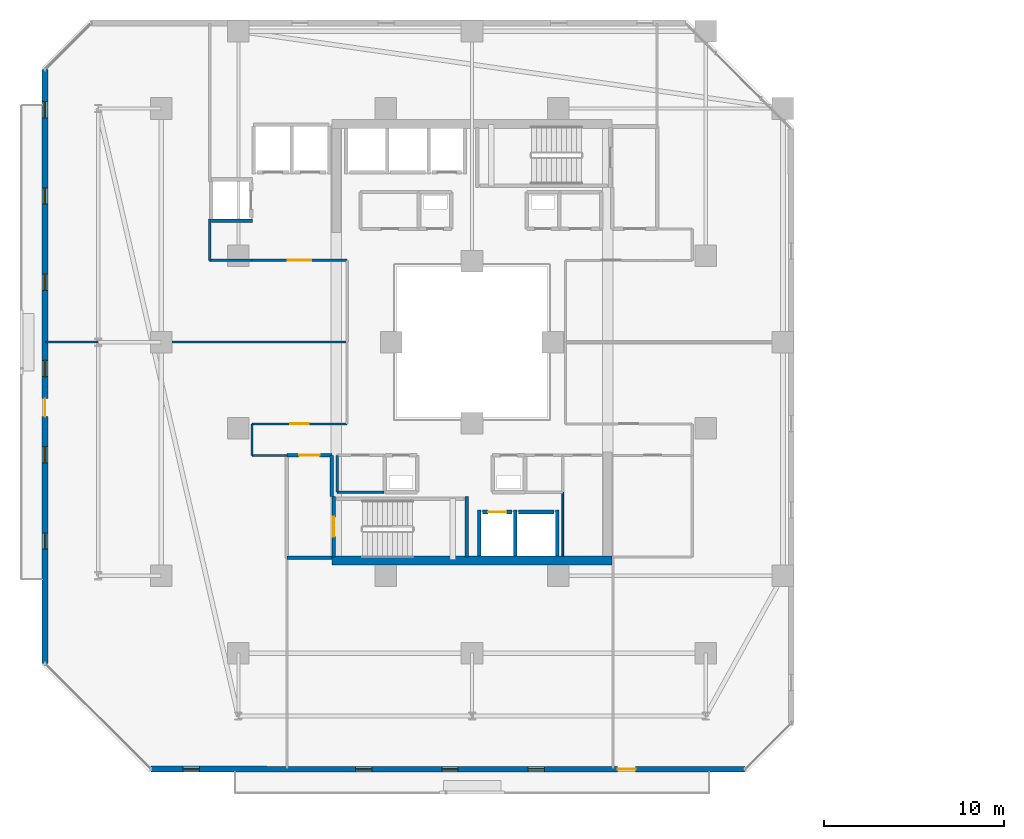
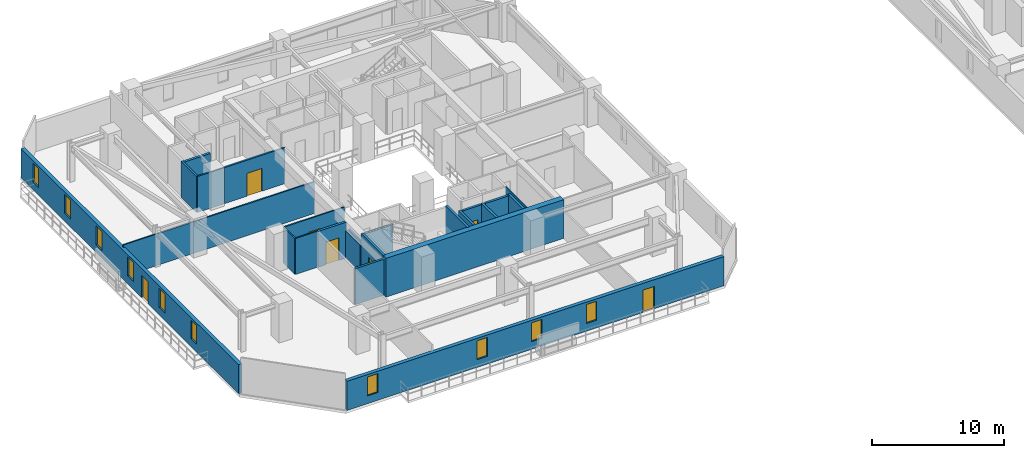
# One storey, part 18 of 32: 24 walls, 10 windows, 7 doors, 17 openings.
"""IFC4 building model written with IfcOpenShell, lengths in metres."""

from ifc_helpers import new_model, si_unit, direction, frame, frame_2d, origin, place, context, subcontext, project, spatial, rectangle, extrude, material, layer, layer_set, type_object, element, fill, save


model = new_model("IFC4")

# Units and contexts
model_context = context("Model", 3, precision=1e-05, world=origin(), true_north=direction((0.0, 1.0)))
body_context = subcontext(model_context, "Body", "Model", "MODEL_VIEW")
ifc_project = project(units=[si_unit("LENGTHUNIT", "METRE"), si_unit("AREAUNIT", "SQUARE_METRE"), si_unit("VOLUMEUNIT", "CUBIC_METRE"), si_unit("PLANEANGLEUNIT", "RADIAN"), si_unit("MASSUNIT", "GRAM", prefix="KILO")], contexts=[model_context])

# Site, building, storey
site_placement = place(None, origin())
site = spatial("IfcSite", under=ifc_project, at=site_placement, CompositionType="ELEMENT")
building_placement = place(site_placement, origin())
building = spatial("IfcBuilding", under=site, at=building_placement, Name="Thornwick Lancets Civic Towers", CompositionType="ELEMENT")
storey_placement = place(building_placement, frame((0.0, 0.0, 123.300048828125)))
storey = spatial("IfcBuildingStorey", under=building, at=storey_placement, Name="L32", CompositionType="ELEMENT", Elevation=123.300048828125)

# Wall, opening, door
ifc_material_1 = material(Name="Concrete blockwork C40/50", Category="masonry")
ifc_layer_1 = layer(ifc_material_1, 0.199951171875, Name="Concrete blockwork C40/50")
ifc_layer_set_1 = layer_set([ifc_layer_1], Name="Concrete blockwork C40/50")
wall_type_1 = type_object("IfcWallType", Name="WALL_COMP_200", PredefinedType="STANDARD", material=ifc_layer_set_1)
wall_1_placement = place(storey_placement, frame((26.080078125, 17.550048828125, 0.0), z_axis=(0.0, 0.0, 1.0), x_axis=(1.0, 0.0, 0.0)))
wall_1 = element("IfcWall", 1, at=wall_1_placement, inside=storey, type_object=wall_type_1, Name="L32 Hoistway Front Wall FL-A1", PredefinedType="STANDARD", context=body_context, shape_type="SweptSolid", body=[
    extrude(rectangle(XDim=1.639892578125, YDim=0.199951171875, at=frame_2d((0.81982421875, 0.0))), origin(), (0.0, 0.0, 1.0), 3.33984375),
])
opening_1_placement = place(wall_1_placement, frame((0.31005859375, 0.0, 0.0)))
opening_1 = element("IfcOpeningElement", 2, at=opening_1_placement, cuts=wall_1, Name="Opening LD-FL-A1", PredefinedType="OPENING", context=body_context, shape_type="SweptSolid", body=[
    extrude(rectangle(XDim=1.02001953125, YDim=2.06005859375, at=frame_2d((0.510009765625, 1.030029296875))), frame((0.0, 0.10986328125, 0.0), z_axis=(0.0, -1.0, 0.0), x_axis=(1.0, 0.0, 0.0)), (0.0, 0.0, 1.0), 0.219970703125),
])
ifc_material_2 = material(Name="Brushed bronze stainless steel", Category="steel")
door_type_1 = type_object("IfcDoorType", Name="DOOR_LIFT_SLIDE", OperationType="SLIDING_TO_LEFT", PredefinedType="DOOR", material=ifc_material_2)
door_1_placement = place(opening_1_placement, origin())
door_1 = element("IfcDoor", 3, at=door_1_placement, inside=storey, type_object=door_type_1, Name="L32 Sliding Lift Landing Door LD-FL-A1", OperationType="SLIDING_TO_LEFT", OverallHeight=2.06005859375, OverallWidth=1.02001953125, PredefinedType="DOOR", context=body_context, shape_type="SweptSolid", body=[
    extrude(rectangle(XDim=1.02001953125, YDim=2.06005859375, at=frame_2d((0.510009765625, 1.030029296875))), frame((0.0, 0.02490234375, 0.0), z_axis=(0.0, -1.0, 0.0), x_axis=(1.0, 0.0, 0.0)), (0.0, 0.0, 1.0), 0.050048828125),
])
fill(opening_1, door_1)

# Walls
wall_2_placement = place(storey_placement, frame((28.080078125, 17.550048828125, 0.0), z_axis=(0.0, 0.0, 1.0), x_axis=(1.0, 0.0, 0.0)))
element("IfcWall", 4, at=wall_2_placement, inside=storey, type_object=wall_type_1, Name="L32 Hoistway Front Wall PL-AH1", PredefinedType="STANDARD", context=body_context, shape_type="SweptSolid", body=[
    extrude(rectangle(XDim=1.989990234375, YDim=0.199951171875, at=frame_2d((0.9951171875, 0.0))), origin(), (0.0, 0.0, 1.0), 3.33984375),
])
for number, where, z_axis, x_axis, name in (
    (5, (27.89990234375, 15.112060546875, 0.0), (0.0, 0.0, 1.0), (0.0, 1.0, 0.0), "L32 Hoistway Shaft Wall FL-A1 E"),
    (6, (25.89990234375, 15.112060546875, 0.0), (0.0, 0.0, 1.0), (0.0, 1.0, 0.0), "L32 Hoistway Shaft Wall FL-A1 W"),
    (7, (30.25, 15.112060546875, 0.0), (0.0, 0.0, 1.0), (0.0, 1.0, 0.0), "L32 Hoistway Shaft Wall PL-AH1 E"),
):
    element("IfcWall", number, at=place(storey_placement, frame(where, z_axis=z_axis, x_axis=x_axis)), inside=storey, type_object=wall_type_1, Name=name, PredefinedType="STANDARD", context=body_context, shape_type="SweptSolid", body=[
        extrude(rectangle(XDim=2.535888671875, YDim=0.199951171875, at=frame_2d((1.26806640625, 0.0))), origin(), (0.0, 0.0, 1.0), 3.33984375),
    ])
wall_3_placement = place(storey_placement, frame((11.001953125, 33.75, 0.0), z_axis=(0.0, 0.0, 1.0), x_axis=(1.0, 0.0, 0.0)))
element("IfcWall", 8, at=wall_3_placement, inside=storey, type_object=wall_type_1, Name="L32 Hoistway Shaft Wall PL-AM3 S", PredefinedType="STANDARD", context=body_context, shape_type="SweptSolid", body=[
    extrude(rectangle(XDim=2.296142578125, YDim=0.199951171875, at=frame_2d((1.14794921875, 0.0))), origin(), (0.0, 0.0, 1.0), 3.33984375),
])
wall_4_placement = place(storey_placement, frame((15.199951171875, 15.0, 0.0), z_axis=(0.0, 0.0, 1.0), x_axis=(1.0, 0.0, 0.0)))
element("IfcWall", 9, at=wall_4_placement, inside=storey, type_object=wall_type_1, Name="L32 Partition L32-A-FFLOB1 E1", PredefinedType="STANDARD", context=body_context, shape_type="SweptSolid", body=[
    extrude(rectangle(XDim=2.5, YDim=0.199951171875, at=frame_2d((1.25, 0.0))), origin(), (0.0, 0.0, 1.0), 3.33984375),
])
wall_5_placement = place(storey_placement, frame((17.699951171875, 18.39990234375, 0.0), z_axis=(0.0, 0.0, 1.0), x_axis=(0.0, 1.0, 0.0)))
element("IfcWall", 10, at=wall_5_placement, inside=storey, type_object=wall_type_1, Name="L32 Partition L32-A-FFLOB1 E2", PredefinedType="STANDARD", context=body_context, shape_type="SweptSolid", body=[
    extrude(rectangle(XDim=2.300048828125, YDim=0.199951171875, at=frame_2d((1.14990234375, 0.0))), origin(), (0.0, 0.0, 1.0), 2.544921875),
])

# Wall, opening, door
wall_6_placement = place(storey_placement, frame((17.699951171875, 20.699951171875, 0.0), z_axis=(0.0, 0.0, 1.0), x_axis=(-1.0, 0.0, 0.0)))
wall_6 = element("IfcWall", 11, at=wall_6_placement, inside=storey, type_object=wall_type_1, Name="L32 Partition L32-A-FFLOB1 E3", PredefinedType="STANDARD", context=body_context, shape_type="SweptSolid", body=[
    extrude(rectangle(XDim=2.5, YDim=0.199951171875, at=frame_2d((1.25, 0.0))), origin(), (0.0, 0.0, 1.0), 3.33984375),
])
opening_2_placement = place(wall_6_placement, frame((0.675048828125, 0.0, 0.0)))
opening_2 = element("IfcOpeningElement", 12, at=opening_2_placement, cuts=wall_6, Name="Opening D-L32-1457", PredefinedType="OPENING", context=body_context, shape_type="SweptSolid", body=[
    extrude(rectangle(XDim=1.14990234375, YDim=2.10009765625, at=frame_2d((0.574951171875, 1.050048828125))), frame((0.0, 0.10986328125, 0.0), z_axis=(0.0, -1.0, 0.0), x_axis=(1.0, 0.0, 0.0)), (0.0, 0.0, 1.0), 0.219970703125),
])
ifc_material_3 = material(Name="Glazed fire-resisting steel", Category="steel")
door_type_2 = type_object("IfcDoorType", Name="DOOR_LOBBY_FD60", OperationType="NOTDEFINED", PredefinedType="DOOR", material=ifc_material_3)
door_2_placement = place(opening_2_placement, origin())
door_2 = element("IfcDoor", 13, at=door_2_placement, inside=storey, type_object=door_type_2, Name="L32 South Firefighting Lobby 1 Door", OperationType="SINGLE_SWING_RIGHT", OverallHeight=2.10009765625, OverallWidth=1.14990234375, PredefinedType="DOOR", context=body_context, shape_type="SweptSolid", body=[
    extrude(rectangle(XDim=1.14990234375, YDim=2.10009765625, at=frame_2d((0.574951171875, 1.050048828125))), frame((0.0, 0.02490234375, 0.0), z_axis=(0.0, -1.0, 0.0), x_axis=(1.0, 0.0, 0.0)), (0.0, 0.0, 1.0), 0.050048828125),
])
fill(opening_2, door_2)

# Wall
ifc_material_4 = material(Name="Concrete C50/60", Category="concrete")
ifc_layer_2 = layer(ifc_material_4, 0.5, Name="Concrete C50/60")
ifc_layer_set_2 = layer_set([ifc_layer_2], Name="Concrete C50/60")
wall_type_2 = type_object("IfcWallType", Name="WALL_CORE_500", PredefinedType="SHEAR", material=ifc_layer_set_2)
wall_7_placement = place(storey_placement, frame((17.699951171875, 14.85009765625, 0.0), z_axis=(0.0, 0.0, 1.0), x_axis=(1.0, 0.0, 0.0)))
element("IfcWall", 14, at=wall_7_placement, inside=storey, type_object=wall_type_2, Name="L32 Split Core A1 Shear Wall S", PredefinedType="SHEAR", context=body_context, shape_type="SweptSolid", body=[
    extrude(rectangle(XDim=15.60009765625, YDim=0.5, at=frame_2d((7.800048828125, 0.0))), origin(), (0.0, 0.0, 1.0), 3.599853515625),
])

# Wall, openings, door, windows
ifc_material_5 = material(Name="Insulated buff terracotta rainscreen on concrete C40/50", Category="masonry")
ifc_layer_3 = layer(ifc_material_5, 0.320068359375, Name="Insulated buff terracotta rainscreen on concrete C40/50")
ifc_layer_set_3 = layer_set([ifc_layer_3], Name="Insulated buff terracotta rainscreen on concrete C40/50")
wall_type_3 = type_object("IfcWallType", Name="WALL_EXT_TERRA_320", PredefinedType="STANDARD", material=ifc_layer_set_3)
wall_8_placement = place(storey_placement, frame((7.627685546875, 3.246337890625, 0.0), z_axis=(0.0, 0.0, 1.0), x_axis=(0.999999944762, -0.000332378036, 0.0)))
wall_8 = element("IfcWall", 15, at=wall_8_placement, inside=storey, type_object=wall_type_3, Name="L32 Tower A Terracotta Facade Wall E0", PredefinedType="STANDARD", context=body_context, shape_type="SweptSolid", body=[
    extrude(rectangle(XDim=33.0537109375, YDim=0.320068359375, at=frame_2d((16.52685546875, 0.0))), origin(), (0.0, 0.0, 1.0), 2.699951171875),
])
opening_3_placement = place(wall_8_placement, frame((25.976806640625, 0.0, 0.0)))
opening_3 = element("IfcOpeningElement", 16, at=opening_3_placement, cuts=wall_8, Name="Opening D-BL-L32-AS", PredefinedType="OPENING", context=body_context, shape_type="SweptSolid", body=[
    extrude(rectangle(XDim=1.0, YDim=2.080078125, at=frame_2d((0.5, 1.0400390625))), frame((0.0, 0.169921875, 0.0), z_axis=(0.0, -1.0, 0.0), x_axis=(1.0, 0.0, 0.0)), (0.0, 0.0, 1.0), 0.340087890625),
])
opening_4_placement = place(wall_8_placement, frame((1.800048828125, 0.0, 0.719970703125)))
opening_4 = element("IfcOpeningElement", 17, at=opening_4_placement, cuts=wall_8, Name="Opening WL-01", PredefinedType="OPENING", context=body_context, shape_type="SweptSolid", body=[
    extrude(rectangle(XDim=0.89990234375, YDim=1.75, at=frame_2d((0.449951171875, 0.875))), frame((0.0, 0.169921875, 0.0), z_axis=(0.0, -1.0, 0.0), x_axis=(1.0, 0.0, 0.0)), (0.0, 0.0, 1.0), 0.340087890625),
])
opening_5_placement = place(wall_8_placement, frame((11.39990234375, 0.0, 0.719970703125)))
opening_5 = element("IfcOpeningElement", 18, at=opening_5_placement, cuts=wall_8, Name="Opening WL-01", PredefinedType="OPENING", context=body_context, shape_type="SweptSolid", body=[
    extrude(rectangle(XDim=0.89990234375, YDim=1.75, at=frame_2d((0.449951171875, 0.875))), frame((0.0, 0.169921875, 0.0), z_axis=(0.0, -1.0, 0.0), x_axis=(1.0, 0.0, 0.0)), (0.0, 0.0, 1.0), 0.340087890625),
])
opening_6_placement = place(wall_8_placement, frame((16.199951171875, 0.0, 0.719970703125)))
opening_6 = element("IfcOpeningElement", 19, at=opening_6_placement, cuts=wall_8, Name="Opening WL-01", PredefinedType="OPENING", context=body_context, shape_type="SweptSolid", body=[
    extrude(rectangle(XDim=0.89990234375, YDim=1.75, at=frame_2d((0.449951171875, 0.875))), frame((0.0, 0.169921875, 0.0), z_axis=(0.0, -1.0, 0.0), x_axis=(1.0, 0.0, 0.0)), (0.0, 0.0, 1.0), 0.340087890625),
])
opening_7_placement = place(wall_8_placement, frame((21.0, 0.0, 0.719970703125)))
opening_7 = element("IfcOpeningElement", 20, at=opening_7_placement, cuts=wall_8, Name="Opening WL-01", PredefinedType="OPENING", context=body_context, shape_type="SweptSolid", body=[
    extrude(rectangle(XDim=0.89990234375, YDim=1.75, at=frame_2d((0.449951171875, 0.875))), frame((0.0, 0.169921875, 0.0), z_axis=(0.0, -1.0, 0.0), x_axis=(1.0, 0.0, 0.0)), (0.0, 0.0, 1.0), 0.340087890625),
])
ifc_material_6 = material(Name="Thermally broken glazed loggia doorset")
door_type_3 = type_object("IfcDoorType", Name="DOOR_BALC_1000", OperationType="NOTDEFINED", PredefinedType="DOOR", material=ifc_material_6)
door_3_placement = place(opening_3_placement, origin())
door_3 = element("IfcDoor", 21, at=door_3_placement, inside=storey, type_object=door_type_3, Name="L32 Tower A Loggia Balcony Door S", OperationType="SINGLE_SWING_LEFT", OverallHeight=2.080078125, OverallWidth=1.0, PredefinedType="DOOR", context=body_context, shape_type="SweptSolid", body=[
    extrude(rectangle(XDim=1.0, YDim=2.080078125, at=frame_2d((0.5, 1.0400390625))), frame((0.0, 0.02490234375, 0.0), z_axis=(0.0, -1.0, 0.0), x_axis=(1.0, 0.0, 0.0)), (0.0, 0.0, 1.0), 0.050048828125),
])
fill(opening_3, door_3)
ifc_material_7 = material(Name="Clear low-e double glazing in bronze frame", Category="glass")
window_type = type_object("IfcWindowType", Name="WIN_LANCET_900", PartitioningType="SINGLE_PANEL", PredefinedType="WINDOW", material=ifc_material_7)
window_1_placement = place(opening_4_placement, origin())
window_1 = element("IfcWindow", 22, at=window_1_placement, inside=storey, type_object=window_type, Name="L32 Tower A Staggered Lancet Window E0-1", OverallHeight=1.75, OverallWidth=0.89990234375, PartitioningType="SINGLE_PANEL", PredefinedType="WINDOW", context=body_context, shape_type="SweptSolid", body=[
    extrude(rectangle(XDim=0.89990234375, YDim=1.75, at=frame_2d((0.449951171875, 0.875))), frame((0.0, 0.030029296875, 0.0), z_axis=(0.0, -1.0, 0.0), x_axis=(1.0, 0.0, 0.0)), (0.0, 0.0, 1.0), 0.06005859375),
])
fill(opening_4, window_1)
window_2_placement = place(opening_5_placement, origin())
window_2 = element("IfcWindow", 23, at=window_2_placement, inside=storey, type_object=window_type, Name="L32 Tower A Staggered Lancet Window E0-2", OverallHeight=1.75, OverallWidth=0.89990234375, PartitioningType="SINGLE_PANEL", PredefinedType="WINDOW", context=body_context, shape_type="SweptSolid", body=[
    extrude(rectangle(XDim=0.89990234375, YDim=1.75, at=frame_2d((0.449951171875, 0.875))), frame((0.0, 0.030029296875, 0.0), z_axis=(0.0, -1.0, 0.0), x_axis=(1.0, 0.0, 0.0)), (0.0, 0.0, 1.0), 0.06005859375),
])
fill(opening_5, window_2)
window_3_placement = place(opening_6_placement, origin())
window_3 = element("IfcWindow", 24, at=window_3_placement, inside=storey, type_object=window_type, Name="L32 Tower A Staggered Lancet Window E0-3", OverallHeight=1.75, OverallWidth=0.89990234375, PartitioningType="SINGLE_PANEL", PredefinedType="WINDOW", context=body_context, shape_type="SweptSolid", body=[
    extrude(rectangle(XDim=0.89990234375, YDim=1.75, at=frame_2d((0.449951171875, 0.875))), frame((0.0, 0.030029296875, 0.0), z_axis=(0.0, -1.0, 0.0), x_axis=(1.0, 0.0, 0.0)), (0.0, 0.0, 1.0), 0.06005859375),
])
fill(opening_6, window_3)
window_4_placement = place(opening_7_placement, origin())
window_4 = element("IfcWindow", 25, at=window_4_placement, inside=storey, type_object=window_type, Name="L32 Tower A Staggered Lancet Window E0-4", OverallHeight=1.75, OverallWidth=0.89990234375, PartitioningType="SINGLE_PANEL", PredefinedType="WINDOW", context=body_context, shape_type="SweptSolid", body=[
    extrude(rectangle(XDim=0.89990234375, YDim=1.75, at=frame_2d((0.449951171875, 0.875))), frame((0.0, 0.030029296875, 0.0), z_axis=(0.0, -1.0, 0.0), x_axis=(1.0, 0.0, 0.0)), (0.0, 0.0, 1.0), 0.06005859375),
])
fill(opening_7, window_4)

wall_9_placement = place(storey_placement, frame((1.7353515625, 42.181396484375, 0.0), z_axis=(0.0, 0.0, 1.0), x_axis=(0.000332378036, -0.999999944762, 0.0)))
wall_9 = element("IfcWall", 26, at=wall_9_placement, inside=storey, type_object=wall_type_3, Name="L32 Tower A Terracotta Facade Wall E6", PredefinedType="STANDARD", context=body_context, shape_type="SweptSolid", body=[
    extrude(rectangle(XDim=33.0537109375, YDim=0.320068359375, at=frame_2d((16.52685546875, 0.0))), origin(), (0.0, 0.0, 1.0), 2.699951171875),
])
opening_8_placement = place(wall_9_placement, frame((18.326904296875, 0.0, 0.0)))
opening_8 = element("IfcOpeningElement", 27, at=opening_8_placement, cuts=wall_9, Name="Opening D-BL-L32-AW", PredefinedType="OPENING", context=body_context, shape_type="SweptSolid", body=[
    extrude(rectangle(XDim=1.0, YDim=2.080078125, at=frame_2d((0.5, 1.0400390625))), frame((0.0, 0.169921875, 0.0), z_axis=(0.0, -1.0, 0.0), x_axis=(1.0, 0.0, 0.0)), (0.0, 0.0, 1.0), 0.340087890625),
])
opening_9_placement = place(wall_9_placement, frame((1.800048828125, 0.0, 0.719970703125)))
opening_9 = element("IfcOpeningElement", 28, at=opening_9_placement, cuts=wall_9, Name="Opening WL-01", PredefinedType="OPENING", context=body_context, shape_type="SweptSolid", body=[
    extrude(rectangle(XDim=0.89990234375, YDim=1.75, at=frame_2d((0.449951171875, 0.875))), frame((0.0, 0.169921875, 0.0), z_axis=(0.0, -1.0, 0.0), x_axis=(1.0, 0.0, 0.0)), (0.0, 0.0, 1.0), 0.340087890625),
])
opening_10_placement = place(wall_9_placement, frame((6.60009765625, 0.0, 0.719970703125)))
opening_10 = element("IfcOpeningElement", 29, at=opening_10_placement, cuts=wall_9, Name="Opening WL-01", PredefinedType="OPENING", context=body_context, shape_type="SweptSolid", body=[
    extrude(rectangle(XDim=0.89990234375, YDim=1.75, at=frame_2d((0.449951171875, 0.875))), frame((0.0, 0.169921875, 0.0), z_axis=(0.0, -1.0, 0.0), x_axis=(1.0, 0.0, 0.0)), (0.0, 0.0, 1.0), 0.340087890625),
])
opening_11_placement = place(wall_9_placement, frame((11.39990234375, 0.0, 0.719970703125)))
opening_11 = element("IfcOpeningElement", 30, at=opening_11_placement, cuts=wall_9, Name="Opening WL-01", PredefinedType="OPENING", context=body_context, shape_type="SweptSolid", body=[
    extrude(rectangle(XDim=0.89990234375, YDim=1.75, at=frame_2d((0.449951171875, 0.875))), frame((0.0, 0.169921875, 0.0), z_axis=(0.0, -1.0, 0.0), x_axis=(1.0, 0.0, 0.0)), (0.0, 0.0, 1.0), 0.340087890625),
])
opening_12_placement = place(wall_9_placement, frame((16.199951171875, 0.0, 0.719970703125)))
opening_12 = element("IfcOpeningElement", 31, at=opening_12_placement, cuts=wall_9, Name="Opening WL-01", PredefinedType="OPENING", context=body_context, shape_type="SweptSolid", body=[
    extrude(rectangle(XDim=0.89990234375, YDim=1.75, at=frame_2d((0.449951171875, 0.875))), frame((0.0, 0.169921875, 0.0), z_axis=(0.0, -1.0, 0.0), x_axis=(1.0, 0.0, 0.0)), (0.0, 0.0, 1.0), 0.340087890625),
])
opening_13_placement = place(wall_9_placement, frame((21.0, 0.0, 0.719970703125)))
opening_13 = element("IfcOpeningElement", 32, at=opening_13_placement, cuts=wall_9, Name="Opening WL-01", PredefinedType="OPENING", context=body_context, shape_type="SweptSolid", body=[
    extrude(rectangle(XDim=0.89990234375, YDim=1.75, at=frame_2d((0.449951171875, 0.875))), frame((0.0, 0.169921875, 0.0), z_axis=(0.0, -1.0, 0.0), x_axis=(1.0, 0.0, 0.0)), (0.0, 0.0, 1.0), 0.340087890625),
])
opening_14_placement = place(wall_9_placement, frame((25.800048828125, 0.0, 0.719970703125)))
opening_14 = element("IfcOpeningElement", 33, at=opening_14_placement, cuts=wall_9, Name="Opening WL-01", PredefinedType="OPENING", context=body_context, shape_type="SweptSolid", body=[
    extrude(rectangle(XDim=0.89990234375, YDim=1.75, at=frame_2d((0.449951171875, 0.875))), frame((0.0, 0.169921875, 0.0), z_axis=(0.0, -1.0, 0.0), x_axis=(1.0, 0.0, 0.0)), (0.0, 0.0, 1.0), 0.340087890625),
])
door_4_placement = place(opening_8_placement, origin())
door_4 = element("IfcDoor", 34, at=door_4_placement, inside=storey, type_object=door_type_3, Name="L32 Tower A Loggia Balcony Door W", OperationType="SINGLE_SWING_LEFT", OverallHeight=2.080078125, OverallWidth=1.0, PredefinedType="DOOR", context=body_context, shape_type="SweptSolid", body=[
    extrude(rectangle(XDim=1.0, YDim=2.080078125, at=frame_2d((0.5, 1.0400390625))), frame((0.0, 0.02490234375, 0.0), z_axis=(0.0, -1.0, 0.0), x_axis=(1.0, 0.0, 0.0)), (0.0, 0.0, 1.0), 0.050048828125),
])
fill(opening_8, door_4)
window_5_placement = place(opening_9_placement, origin())
window_5 = element("IfcWindow", 35, at=window_5_placement, inside=storey, type_object=window_type, Name="L32 Tower A Staggered Lancet Window E6-1", OverallHeight=1.75, OverallWidth=0.89990234375, PartitioningType="SINGLE_PANEL", PredefinedType="WINDOW", context=body_context, shape_type="SweptSolid", body=[
    extrude(rectangle(XDim=0.89990234375, YDim=1.75, at=frame_2d((0.449951171875, 0.875))), frame((0.0, 0.030029296875, 0.0), z_axis=(0.0, -1.0, 0.0), x_axis=(1.0, 0.0, 0.0)), (0.0, 0.0, 1.0), 0.06005859375),
])
fill(opening_9, window_5)
window_6_placement = place(opening_10_placement, origin())
window_6 = element("IfcWindow", 36, at=window_6_placement, inside=storey, type_object=window_type, Name="L32 Tower A Staggered Lancet Window E6-2", OverallHeight=1.75, OverallWidth=0.89990234375, PartitioningType="SINGLE_PANEL", PredefinedType="WINDOW", context=body_context, shape_type="SweptSolid", body=[
    extrude(rectangle(XDim=0.89990234375, YDim=1.75, at=frame_2d((0.449951171875, 0.875))), frame((0.0, 0.030029296875, 0.0), z_axis=(0.0, -1.0, 0.0), x_axis=(1.0, 0.0, 0.0)), (0.0, 0.0, 1.0), 0.06005859375),
])
fill(opening_10, window_6)
window_7_placement = place(opening_11_placement, origin())
window_7 = element("IfcWindow", 37, at=window_7_placement, inside=storey, type_object=window_type, Name="L32 Tower A Staggered Lancet Window E6-3", OverallHeight=1.75, OverallWidth=0.89990234375, PartitioningType="SINGLE_PANEL", PredefinedType="WINDOW", context=body_context, shape_type="SweptSolid", body=[
    extrude(rectangle(XDim=0.89990234375, YDim=1.75, at=frame_2d((0.449951171875, 0.875))), frame((0.0, 0.030029296875, 0.0), z_axis=(0.0, -1.0, 0.0), x_axis=(1.0, 0.0, 0.0)), (0.0, 0.0, 1.0), 0.06005859375),
])
fill(opening_11, window_7)
window_8_placement = place(opening_12_placement, origin())
window_8 = element("IfcWindow", 38, at=window_8_placement, inside=storey, type_object=window_type, Name="L32 Tower A Staggered Lancet Window E6-4", OverallHeight=1.75, OverallWidth=0.89990234375, PartitioningType="SINGLE_PANEL", PredefinedType="WINDOW", context=body_context, shape_type="SweptSolid", body=[
    extrude(rectangle(XDim=0.89990234375, YDim=1.75, at=frame_2d((0.449951171875, 0.875))), frame((0.0, 0.030029296875, 0.0), z_axis=(0.0, -1.0, 0.0), x_axis=(1.0, 0.0, 0.0)), (0.0, 0.0, 1.0), 0.06005859375),
])
fill(opening_12, window_8)
window_9_placement = place(opening_13_placement, origin())
window_9 = element("IfcWindow", 39, at=window_9_placement, inside=storey, type_object=window_type, Name="L32 Tower A Staggered Lancet Window E6-5", OverallHeight=1.75, OverallWidth=0.89990234375, PartitioningType="SINGLE_PANEL", PredefinedType="WINDOW", context=body_context, shape_type="SweptSolid", body=[
    extrude(rectangle(XDim=0.89990234375, YDim=1.75, at=frame_2d((0.449951171875, 0.875))), frame((0.0, 0.030029296875, 0.0), z_axis=(0.0, -1.0, 0.0), x_axis=(1.0, 0.0, 0.0)), (0.0, 0.0, 1.0), 0.06005859375),
])
fill(opening_13, window_9)
window_10_placement = place(opening_14_placement, origin())
window_10 = element("IfcWindow", 40, at=window_10_placement, inside=storey, type_object=window_type, Name="L32 Tower A Staggered Lancet Window E6-6", OverallHeight=1.75, OverallWidth=0.89990234375, PartitioningType="SINGLE_PANEL", PredefinedType="WINDOW", context=body_context, shape_type="SweptSolid", body=[
    extrude(rectangle(XDim=0.89990234375, YDim=1.75, at=frame_2d((0.449951171875, 0.875))), frame((0.0, 0.030029296875, 0.0), z_axis=(0.0, -1.0, 0.0), x_axis=(1.0, 0.0, 0.0)), (0.0, 0.0, 1.0), 0.06005859375),
])
fill(opening_14, window_10)

# Wall
ifc_material_8 = material(Name="Lightweight cellular office partition")
ifc_layer_4 = layer(ifc_material_8, 0.10009765625, Name="Lightweight cellular office partition")
ifc_layer_set_4 = layer_set([ifc_layer_4], Name="Lightweight cellular office partition")
wall_type_4 = type_object("IfcWallType", Name="WALL_PART_100", PredefinedType="PARTITIONING", material=ifc_layer_set_4)
wall_10_placement = place(storey_placement, frame((30.550048828125, 15.10009765625, 0.0), z_axis=(0.0, 0.0, 1.0), x_axis=(0.0, 1.0, 0.0)))
element("IfcWall", 41, at=wall_10_placement, inside=storey, type_object=wall_type_4, Name="L32 Partition L32-A-CLN E3", PredefinedType="PARTITIONING", context=body_context, shape_type="SweptSolid", body=[
    extrude(rectangle(XDim=3.5498046875, YDim=0.10009765625, at=frame_2d((1.77490234375, 0.0))), origin(), (0.0, 0.0, 1.0), 3.33984375),
])

# Wall, opening, door
ifc_material_9 = material(Name="Acoustic gypsum board partition")
ifc_layer_5 = layer(ifc_material_9, 0.1201171875, Name="Acoustic gypsum board partition")
ifc_layer_set_5 = layer_set([ifc_layer_5], Name="Acoustic gypsum board partition")
wall_type_5 = type_object("IfcWallType", Name="WALL_PART_120", PredefinedType="PARTITIONING", material=ifc_layer_set_5)
wall_11_placement = place(storey_placement, frame((18.550048828125, 22.449951171875, 0.0), z_axis=(0.0, 0.0, 1.0), x_axis=(-1.0, 0.0, 0.0)))
wall_11 = element("IfcWall", 42, at=wall_11_placement, inside=storey, type_object=wall_type_5, Name="L32 Partition L32-A-W1 E1", PredefinedType="PARTITIONING", context=body_context, shape_type="SweptSolid", body=[
    extrude(rectangle(XDim=5.300048828125, YDim=0.1201171875, at=frame_2d((2.64990234375, 0.0))), origin(), (0.0, 0.0, 1.0), 3.33984375),
])
opening_15_placement = place(wall_11_placement, frame((2.125, 0.0, 0.0)))
opening_15 = element("IfcOpeningElement", 43, at=opening_15_placement, cuts=wall_11, Name="Opening D-L32-1480", PredefinedType="OPENING", context=body_context, shape_type="SweptSolid", body=[
    extrude(rectangle(XDim=1.050048828125, YDim=2.10009765625, at=frame_2d((0.52490234375, 1.050048828125))), frame((0.0, 0.070068359375, 0.0), z_axis=(0.0, -1.0, 0.0), x_axis=(1.0, 0.0, 0.0)), (0.0, 0.0, 1.0), 0.14013671875),
])
ifc_material_10 = material(Name="Glazed European oak executive doorset")
door_type_4 = type_object("IfcDoorType", Name="DOOR_OFFICE_1050", OperationType="NOTDEFINED", PredefinedType="DOOR", material=ifc_material_10)
door_5_placement = place(opening_15_placement, origin())
door_5 = element("IfcDoor", 44, at=door_5_placement, inside=storey, type_object=door_type_4, Name="L32 Tower A Ministry Directorate Office W1 Door", OperationType="SINGLE_SWING_LEFT", OverallHeight=2.10009765625, OverallWidth=1.050048828125, PredefinedType="DOOR", context=body_context, shape_type="SweptSolid", body=[
    extrude(rectangle(XDim=1.050048828125, YDim=2.10009765625, at=frame_2d((0.52490234375, 1.050048828125))), frame((0.0, 0.02490234375, 0.0), z_axis=(0.0, -1.0, 0.0), x_axis=(1.0, 0.0, 0.0)), (0.0, 0.0, 1.0), 0.050048828125),
])
fill(opening_15, door_5)

# Walls
wall_12_placement = place(storey_placement, frame((13.25, 22.449951171875, 0.0), z_axis=(0.0, 0.0, 1.0), x_axis=(0.0, -1.0, 0.0)))
element("IfcWall", 45, at=wall_12_placement, inside=storey, type_object=wall_type_5, Name="L32 Partition L32-A-W1 E2", PredefinedType="PARTITIONING", context=body_context, shape_type="SweptSolid", body=[
    extrude(rectangle(XDim=1.75, YDim=0.1201171875, at=frame_2d((0.875, 0.0))), origin(), (0.0, 0.0, 1.0), 3.33984375),
])
wall_13_placement = place(storey_placement, frame((13.25, 20.699951171875, 0.0), z_axis=(0.0, 0.0, 1.0), x_axis=(1.0, 0.0, 0.0)))
element("IfcWall", 46, at=wall_13_placement, inside=storey, type_object=wall_type_5, Name="L32 Partition L32-A-W1 E3", PredefinedType="PARTITIONING", context=body_context, shape_type="SweptSolid", body=[
    extrude(rectangle(XDim=1.949951171875, YDim=0.1201171875, at=frame_2d((0.97509765625, 0.0))), origin(), (0.0, 0.0, 1.0), 3.33984375),
])
wall_14_placement = place(storey_placement, frame((1.780029296875, 27.0, 0.0), z_axis=(0.0, 0.0, 1.0), x_axis=(1.0, 0.0, 0.0)))
element("IfcWall", 47, at=wall_14_placement, inside=storey, type_object=wall_type_5, Name="L32 Partition L32-A-W1 E9", PredefinedType="PARTITIONING", context=body_context, shape_type="SweptSolid", body=[
    extrude(rectangle(XDim=16.77001953125, YDim=0.1201171875, at=frame_2d((8.385009765625, 0.0))), origin(), (0.0, 0.0, 1.0), 2.93212890625),
])
ifc_material_11 = material(Name="Twin-stud acoustic gypsum board")
ifc_layer_6 = layer(ifc_material_11, 0.14990234375, Name="Twin-stud acoustic gypsum board")
ifc_layer_set_6 = layer_set([ifc_layer_6], Name="Twin-stud acoustic gypsum board")
wall_type_6 = type_object("IfcWallType", Name="WALL_PART_150", PredefinedType="PARTITIONING", material=ifc_layer_set_6)
wall_15_placement = place(storey_placement, frame((18.0, 18.64990234375, 0.0), z_axis=(0.0, 0.0, 1.0), x_axis=(1.0, 0.0, 0.0)))
element("IfcWall", 48, at=wall_15_placement, inside=storey, type_object=wall_type_6, Name="L32 Partition L32-A-AWC E1", PredefinedType="PARTITIONING", context=body_context, shape_type="SweptSolid", body=[
    extrude(rectangle(XDim=2.60009765625, YDim=0.14990234375, at=frame_2d((1.300048828125, 0.0))), origin(), (0.0, 0.0, 1.0), 3.33984375),
])
wall_16_placement = place(storey_placement, frame((18.0, 20.699951171875, 0.0), z_axis=(0.0, 0.0, 1.0), x_axis=(0.0, -1.0, 0.0)))
element("IfcWall", 49, at=wall_16_placement, inside=storey, type_object=wall_type_6, Name="L32 Partition L32-A-AWC E4", PredefinedType="PARTITIONING", context=body_context, shape_type="SweptSolid", body=[
    extrude(rectangle(XDim=2.050048828125, YDim=0.14990234375, at=frame_2d((1.02490234375, 0.0))), origin(), (0.0, 0.0, 1.0), 2.544921875),
])

# Wall, opening, door
wall_17_placement = place(storey_placement, frame((13.25, 31.550048828125, 0.0), z_axis=(0.0, 0.0, 1.0), x_axis=(1.0, 0.0, 0.0)))
wall_17 = element("IfcWall", 50, at=wall_17_placement, inside=storey, type_object=wall_type_6, Name="L32 Partition L32-A-W2 E1", PredefinedType="PARTITIONING", context=body_context, shape_type="SweptSolid", body=[
    extrude(rectangle(XDim=5.300048828125, YDim=0.14990234375, at=frame_2d((2.64990234375, 0.0))), origin(), (0.0, 0.0, 1.0), 3.33984375),
])
opening_16_placement = place(wall_17_placement, frame((2.0, 0.0, 0.0)))
opening_16 = element("IfcOpeningElement", 51, at=opening_16_placement, cuts=wall_17, Name="Opening D-L32-1481", PredefinedType="OPENING", context=body_context, shape_type="SweptSolid", body=[
    extrude(rectangle(XDim=1.300048828125, YDim=2.1201171875, at=frame_2d((0.64990234375, 1.06005859375))), frame((0.0, 0.0849609375, 0.0), z_axis=(0.0, -1.0, 0.0), x_axis=(1.0, 0.0, 0.0)), (0.0, 0.0, 1.0), 0.169921875),
])
ifc_material_12 = material(Name="Acoustic oak leaf-and-a-half doorset")
door_type_5 = type_object("IfcDoorType", Name="DOOR_MEET_1300", OperationType="DOUBLE_DOOR_SINGLE_SWING", PredefinedType="DOOR", material=ifc_material_12)
door_6_placement = place(opening_16_placement, origin())
door_6 = element("IfcDoor", 52, at=door_6_placement, inside=storey, type_object=door_type_5, Name="L32 Tower A Policy Briefing Room W2 Door", OperationType="DOUBLE_DOOR_SINGLE_SWING", OverallHeight=2.1201171875, OverallWidth=1.300048828125, PredefinedType="DOOR", context=body_context, shape_type="SweptSolid", body=[
    extrude(rectangle(XDim=1.300048828125, YDim=2.1201171875, at=frame_2d((0.64990234375, 1.06005859375))), frame((0.0, 0.02490234375, 0.0), z_axis=(0.0, -1.0, 0.0), x_axis=(1.0, 0.0, 0.0)), (0.0, 0.0, 1.0), 0.050048828125),
])
fill(opening_16, door_6)

# Walls
wall_18_placement = place(storey_placement, frame((10.89990234375, 33.862060546875, 0.0), z_axis=(0.0, 0.0, 1.0), x_axis=(0.0, -1.0, 0.0)))
element("IfcWall", 53, at=wall_18_placement, inside=storey, type_object=wall_type_6, Name="L32 Partition L32-A-W2 E7", PredefinedType="PARTITIONING", context=body_context, shape_type="SweptSolid", body=[
    extrude(rectangle(XDim=2.31201171875, YDim=0.14990234375, at=frame_2d((1.156005859375, 0.0))), origin(), (0.0, 0.0, 1.0), 3.33984375),
])
wall_19_placement = place(storey_placement, frame((10.89990234375, 31.550048828125, 0.0), z_axis=(0.0, 0.0, 1.0), x_axis=(1.0, 0.0, 0.0)))
element("IfcWall", 54, at=wall_19_placement, inside=storey, type_object=wall_type_6, Name="L32 Partition L32-A-W2 E8", PredefinedType="PARTITIONING", context=body_context, shape_type="SweptSolid", body=[
    extrude(rectangle(XDim=2.35009765625, YDim=0.14990234375, at=frame_2d((1.175048828125, 0.0))), origin(), (0.0, 0.0, 1.0), 3.33984375),
])

# Wall, opening, door
ifc_material_13 = material(Name="Concrete C40/50", Category="concrete")
ifc_layer_7 = layer(ifc_material_13, 0.199951171875, Name="Concrete C40/50")
ifc_layer_set_7 = layer_set([ifc_layer_7], Name="Concrete C40/50")
wall_type_7 = type_object("IfcWallType", Name="WALL_SHAFT_200", PredefinedType="SHEAR", material=ifc_layer_set_7)
wall_20_placement = place(storey_placement, frame((17.800048828125, 15.050048828125, 0.0), z_axis=(0.0, 0.0, 1.0), x_axis=(0.0, 1.0, 0.0)))
wall_20 = element("IfcWall", 55, at=wall_20_placement, inside=storey, type_object=wall_type_7, Name="L32 ST-A1 Fire Stair Core Wall NEAR", PredefinedType="SHEAR", context=body_context, shape_type="SweptSolid", body=[
    extrude(rectangle(XDim=3.349853515625, YDim=0.199951171875, at=frame_2d((1.6748046875, 0.0))), origin(), (0.0, 0.0, 1.0), 3.599853515625),
])
opening_17_placement = place(wall_20_placement, frame((1.125, 0.0, 0.0)))
opening_17 = element("IfcOpeningElement", 56, at=opening_17_placement, cuts=wall_20, Name="Opening D-ST-A1-L32", PredefinedType="OPENING", context=body_context, shape_type="SweptSolid", body=[
    extrude(rectangle(XDim=1.10009765625, YDim=2.10009765625, at=frame_2d((0.550048828125, 1.050048828125))), frame((0.0, 0.10986328125, 0.0), z_axis=(0.0, -1.0, 0.0), x_axis=(1.0, 0.0, 0.0)), (0.0, 0.0, 1.0), 0.219970703125),
])
ifc_material_14 = material(Name="Fire-resisting steel and hardwood", Category="steel")
door_type_6 = type_object("IfcDoorType", Name="DOOR_STAIR_FD60", OperationType="NOTDEFINED", PredefinedType="DOOR", material=ifc_material_14)
door_7_placement = place(opening_17_placement, origin())
door_7 = element("IfcDoor", 57, at=door_7_placement, inside=storey, type_object=door_type_6, Name="L32 ST-A1 Exit Stair Door", OperationType="SINGLE_SWING_RIGHT", OverallHeight=2.10009765625, OverallWidth=1.10009765625, PredefinedType="DOOR", context=body_context, shape_type="SweptSolid", body=[
    extrude(rectangle(XDim=1.10009765625, YDim=2.10009765625, at=frame_2d((0.550048828125, 1.050048828125))), frame((0.0, 0.02490234375, 0.0), z_axis=(0.0, -1.0, 0.0), x_axis=(1.0, 0.0, 0.0)), (0.0, 0.0, 1.0), 0.050048828125),
])
fill(opening_17, door_7)

# Wall
wall_21_placement = place(storey_placement, frame((25.199951171875, 18.39990234375, 0.0), z_axis=(0.0, 0.0, 1.0), x_axis=(0.0, -1.0, 0.0)))
element("IfcWall", 58, at=wall_21_placement, inside=storey, type_object=wall_type_7, Name="L32 ST-A1 Fire Stair Core Wall FAR", PredefinedType="SHEAR", context=body_context, shape_type="SweptSolid", body=[
    extrude(rectangle(XDim=3.349853515625, YDim=0.199951171875, at=frame_2d((1.6748046875, 0.0))), origin(), (0.0, 0.0, 1.0), 3.599853515625),
])

save(model, "model.ifc")
